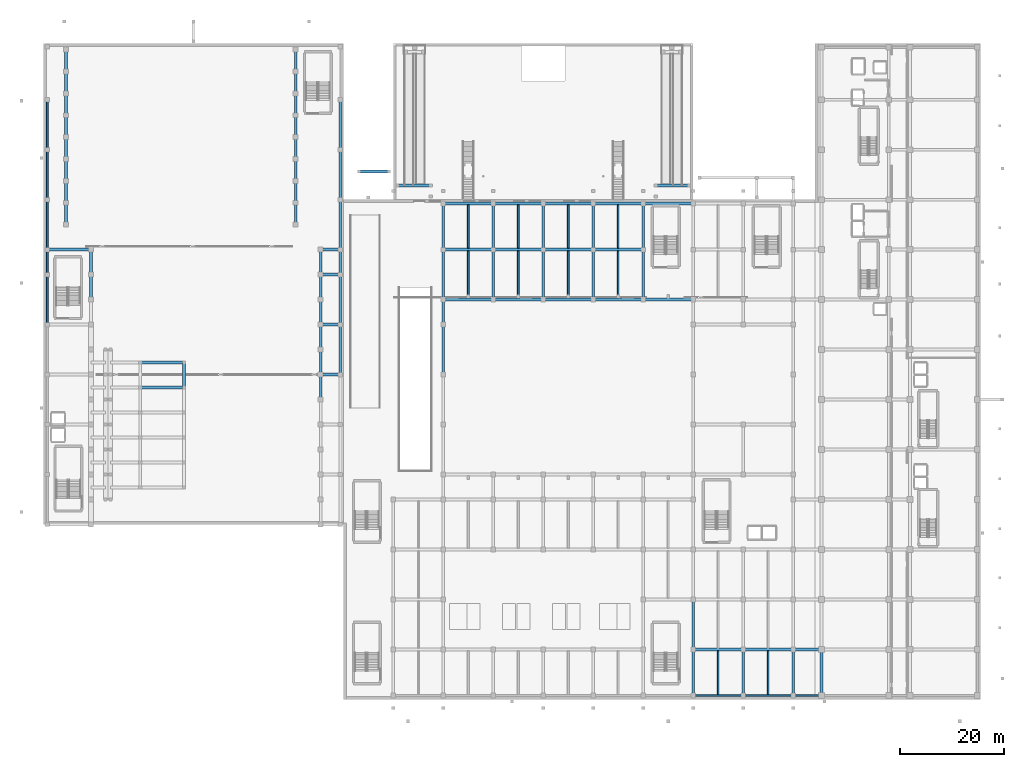
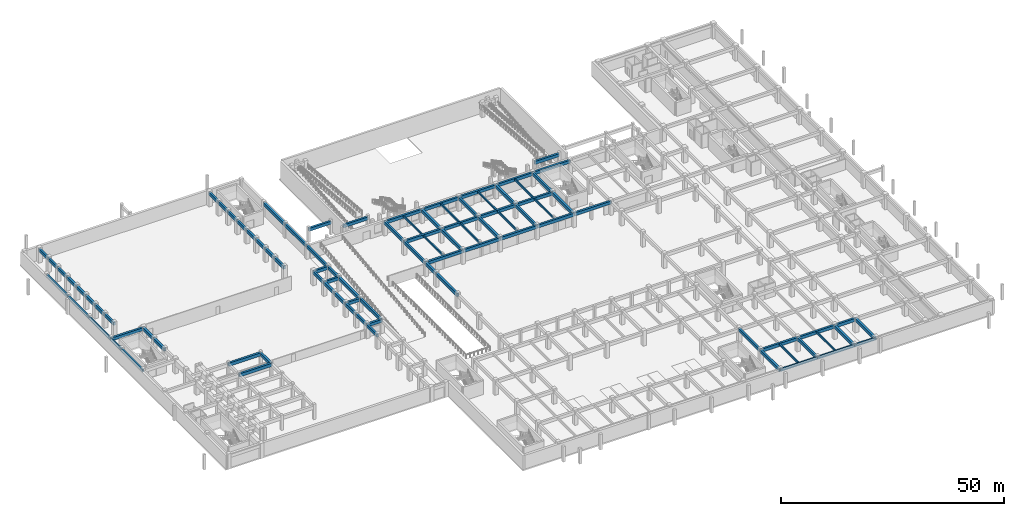
# One storey, part 6 of 39: 93 beams.
"""IFC4 building model written with IfcOpenShell, lengths in metres."""

from ifc_helpers import new_model, si_unit, direction, frame, origin, origin_2d, place, context, subcontext, project, spatial, rectangle, extrude, material, material_profile, profile_set, type_object, element, save


model = new_model("IFC4")

# Units and contexts
model_context = context("Model", 3, precision=1e-05, world=origin(), true_north=direction((0.0, 1.0)))
body_context = subcontext(model_context, "Body", "Model", "MODEL_VIEW")
ifc_project = project(units=[si_unit("LENGTHUNIT", "METRE"), si_unit("AREAUNIT", "SQUARE_METRE"), si_unit("VOLUMEUNIT", "CUBIC_METRE"), si_unit("PLANEANGLEUNIT", "RADIAN"), si_unit("MASSUNIT", "GRAM", prefix="KILO")], contexts=[model_context])

# Site, building, storey
site_placement = place(None, origin())
site = spatial("IfcSite", under=ifc_project, at=site_placement, CompositionType="ELEMENT")
building_placement = place(site_placement, origin())
building = spatial("IfcBuilding", under=site, at=building_placement, Name="Nakhvara Creek Congress Hotel", CompositionType="ELEMENT")
storey_placement = place(building_placement, frame((0.0, 0.0, -4.199951171875)))
storey = spatial("IfcBuildingStorey", under=building, at=storey_placement, Name="B1", CompositionType="ELEMENT", Elevation=-4.199951171875)

# Beams
ifc_material_1 = material(Name="Concrete C40/50", Category="concrete")
ifc_material_profile_1 = material_profile(ifc_material_1, rectangle(XDim=0.300048828125, YDim=0.5, at=origin_2d()), Name="RC-BM 300x500", Category="LoadBearing")
ifc_profile_set_1 = profile_set([ifc_material_profile_1], Name="Concrete C40/50")
beam_type_1 = type_object("IfcBeamType", Name="BM-JST-300X500", PredefinedType="JOIST", material=ifc_profile_set_1)
beam_1_placement = place(storey_placement, frame((81.60009765625, 77.06005859375, 3.530029296875), z_axis=(0.0, 1.0, 0.0), x_axis=(-1.0, 0.0, 0.0)))
element("IfcBeam", 1, at=beam_1_placement, inside=storey, type_object=beam_type_1, Name="Secondary Joist BJ1-B1-0697", PredefinedType="JOIST", context=body_context, shape_type="SweptSolid", body=[
    extrude(rectangle(XDim=0.300048828125, YDim=0.5, at=origin_2d()), origin(), (0.0, 0.0, 1.0), 9.079833984375),
])
beam_2_placement = place(storey_placement, frame((81.60009765625, 86.659912109375, 3.530029296875), z_axis=(0.0, 1.0, 0.0), x_axis=(-1.0, 0.0, 0.0)))
element("IfcBeam", 2, at=beam_2_placement, inside=storey, type_object=beam_type_1, Name="Secondary Joist BJ1-B1-0698", PredefinedType="JOIST", context=body_context, shape_type="SweptSolid", body=[
    extrude(rectangle(XDim=0.300048828125, YDim=0.5, at=origin_2d()), origin(), (0.0, 0.0, 1.0), 8.330078125),
])
beam_3_placement = place(storey_placement, frame((91.199951171875, 77.06005859375, 3.530029296875), z_axis=(0.0, 1.0, 0.0), x_axis=(-1.0, 0.0, 0.0)))
element("IfcBeam", 3, at=beam_3_placement, inside=storey, type_object=beam_type_1, Name="Secondary Joist BJ1-B1-0701", PredefinedType="JOIST", context=body_context, shape_type="SweptSolid", body=[
    extrude(rectangle(XDim=0.300048828125, YDim=0.5, at=origin_2d()), origin(), (0.0, 0.0, 1.0), 9.079833984375),
])
beam_4_placement = place(storey_placement, frame((91.199951171875, 86.659912109375, 3.530029296875), z_axis=(0.0, 1.0, 0.0), x_axis=(-1.0, 0.0, 0.0)))
element("IfcBeam", 4, at=beam_4_placement, inside=storey, type_object=beam_type_1, Name="Secondary Joist BJ1-B1-0702", PredefinedType="JOIST", context=body_context, shape_type="SweptSolid", body=[
    extrude(rectangle(XDim=0.300048828125, YDim=0.5, at=origin_2d()), origin(), (0.0, 0.0, 1.0), 8.330078125),
])
beam_5_placement = place(storey_placement, frame((100.800048828125, 77.06005859375, 3.530029296875), z_axis=(0.0, 1.0, 0.0), x_axis=(-1.0, 0.0, 0.0)))
element("IfcBeam", 5, at=beam_5_placement, inside=storey, type_object=beam_type_1, Name="Secondary Joist BJ1-B1-0705", PredefinedType="JOIST", context=body_context, shape_type="SweptSolid", body=[
    extrude(rectangle(XDim=0.300048828125, YDim=0.5, at=origin_2d()), origin(), (0.0, 0.0, 1.0), 9.079833984375),
])
beam_6_placement = place(storey_placement, frame((100.800048828125, 86.659912109375, 3.530029296875), z_axis=(0.0, 1.0, 0.0), x_axis=(-1.0, 0.0, 0.0)))
element("IfcBeam", 6, at=beam_6_placement, inside=storey, type_object=beam_type_1, Name="Secondary Joist BJ1-B1-0706", PredefinedType="JOIST", context=body_context, shape_type="SweptSolid", body=[
    extrude(rectangle(XDim=0.300048828125, YDim=0.5, at=origin_2d()), origin(), (0.0, 0.0, 1.0), 8.330078125),
])
beam_7_placement = place(storey_placement, frame((110.39990234375, 77.06005859375, 3.530029296875), z_axis=(0.0, 1.0, 0.0), x_axis=(-1.0, 0.0, 0.0)))
element("IfcBeam", 7, at=beam_7_placement, inside=storey, type_object=beam_type_1, Name="Secondary Joist BJ1-B1-0709", PredefinedType="JOIST", context=body_context, shape_type="SweptSolid", body=[
    extrude(rectangle(XDim=0.300048828125, YDim=0.5, at=origin_2d()), origin(), (0.0, 0.0, 1.0), 9.079833984375),
])
beam_8_placement = place(storey_placement, frame((110.39990234375, 86.659912109375, 3.530029296875), z_axis=(0.0, 1.0, 0.0), x_axis=(-1.0, 0.0, 0.0)))
element("IfcBeam", 8, at=beam_8_placement, inside=storey, type_object=beam_type_1, Name="Secondary Joist BJ1-B1-0710", PredefinedType="JOIST", context=body_context, shape_type="SweptSolid", body=[
    extrude(rectangle(XDim=0.300048828125, YDim=0.5, at=origin_2d()), origin(), (0.0, 0.0, 1.0), 8.330078125),
])
for number, where, z_axis, x_axis, name in (
    (9, (129.60009765625, 0.925048828125, 3.530029296875), (0.0, 1.0, 0.0), (-1.0, 0.0, 0.0), "Secondary Joist BJ1-B1-0713"),
    (10, (139.199951171875, 0.925048828125, 3.530029296875), (0.0, 1.0, 0.0), (-1.0, 0.0, 0.0), "Secondary Joist BJ1-B1-0718"),
):
    element("IfcBeam", number, at=place(storey_placement, frame(where, z_axis=z_axis, x_axis=x_axis)), inside=storey, type_object=beam_type_1, Name=name, PredefinedType="JOIST", context=body_context, shape_type="SweptSolid", body=[
        extrude(rectangle(XDim=0.300048828125, YDim=0.5, at=origin_2d()), origin(), (0.0, 0.0, 1.0), 8.4150390625),
    ])
ifc_material_2 = material(Name="Concrete C50/60", Category="concrete")
ifc_material_profile_2 = material_profile(ifc_material_2, rectangle(XDim=0.550048828125, YDim=0.89990234375, at=origin_2d()), Name="RC-RAKER 550x900", Category="LoadBearing")
ifc_profile_set_2 = profile_set([ifc_material_profile_2], Name="Concrete C50/60")
beam_type_2 = type_object("IfcBeamType", Name="BM-RAKER-900", PredefinedType="BEAM", material=ifc_profile_set_2)
for number, where, z_axis, x_axis, name in (
    (11, (18.60009765625, 59.89990234375, 3.329833984375), (1.0, 0.0, 0.0), (0.0, 1.0, 0.0), "Congress Stand RAKER Span C 05"),
    (12, (18.60009765625, 64.699951171875, 3.329833984375), (1.0, 0.0, 0.0), (0.0, 1.0, 0.0), "Congress Stand RAKER Span C 06"),
):
    element("IfcBeam", number, at=place(storey_placement, frame(where, z_axis=z_axis, x_axis=x_axis)), inside=storey, type_object=beam_type_2, Name=name, PredefinedType="BEAM", context=body_context, shape_type="SweptSolid", body=[
        extrude(rectangle(XDim=0.550048828125, YDim=0.89990234375, at=origin_2d()), origin(), (0.0, 0.0, 1.0), 8.39990234375),
    ])
ifc_material_profile_3 = material_profile(ifc_material_2, rectangle(XDim=0.52001953125, YDim=0.840087890625, at=origin_2d()), Name="RC-BM 520x840", Category="LoadBearing")
ifc_profile_set_3 = profile_set([ifc_material_profile_3], Name="Concrete C50/60")
beam_type_3 = type_object("IfcBeamType", Name="BM-RC-520X840", PredefinedType="BEAM", material=ifc_profile_set_3)
beam_9_placement = place(storey_placement, frame((57.050048828125, 62.39990234375, 3.35986328125), z_axis=(0.0, 1.0, 0.0), x_axis=(-1.0, 0.0, 0.0)))
element("IfcBeam", 13, at=beam_9_placement, inside=storey, type_object=beam_type_3, Name="Beam B14-B1-0377", PredefinedType="BEAM", context=body_context, shape_type="SweptSolid", body=[
    extrude(rectangle(XDim=0.52001953125, YDim=0.840087890625, at=origin_2d()), origin(), (0.0, 0.0, 1.0), 9.60009765625),
])
beam_10_placement = place(storey_placement, frame((53.25, 62.39990234375, 3.35986328125), z_axis=(1.0, 0.0, 0.0), x_axis=(0.0, 1.0, 0.0)))
element("IfcBeam", 14, at=beam_10_placement, inside=storey, type_object=beam_type_3, Name="Beam B14-B1-0378", PredefinedType="BEAM", context=body_context, shape_type="SweptSolid", body=[
    extrude(rectangle(XDim=0.52001953125, YDim=0.840087890625, at=origin_2d()), origin(), (0.0, 0.0, 1.0), 3.800048828125),
])
beam_11_placement = place(storey_placement, frame((57.050048828125, 72.0, 3.35986328125), z_axis=(0.0, 1.0, 0.0), x_axis=(-1.0, 0.0, 0.0)))
element("IfcBeam", 15, at=beam_11_placement, inside=storey, type_object=beam_type_3, Name="Beam B14-B1-0381", PredefinedType="BEAM", context=body_context, shape_type="SweptSolid", body=[
    extrude(rectangle(XDim=0.52001953125, YDim=0.840087890625, at=origin_2d()), origin(), (0.0, 0.0, 1.0), 9.60009765625),
])
beam_12_placement = place(storey_placement, frame((53.25, 72.0, 3.35986328125), z_axis=(1.0, 0.0, 0.0), x_axis=(0.0, 1.0, 0.0)))
element("IfcBeam", 16, at=beam_12_placement, inside=storey, type_object=beam_type_3, Name="Beam B14-B1-0382", PredefinedType="BEAM", context=body_context, shape_type="SweptSolid", body=[
    extrude(rectangle(XDim=0.52001953125, YDim=0.840087890625, at=origin_2d()), origin(), (0.0, 0.0, 1.0), 3.800048828125),
])
beam_13_placement = place(storey_placement, frame((57.050048828125, 81.60009765625, 3.35986328125), z_axis=(0.0, 1.0, 0.0), x_axis=(-1.0, 0.0, 0.0)))
element("IfcBeam", 17, at=beam_13_placement, inside=storey, type_object=beam_type_3, Name="Beam B14-B1-0384", PredefinedType="BEAM", context=body_context, shape_type="SweptSolid", body=[
    extrude(rectangle(XDim=0.52001953125, YDim=0.840087890625, at=origin_2d()), origin(), (0.0, 0.0, 1.0), 4.7998046875),
])
beam_14_placement = place(storey_placement, frame((53.25, 81.60009765625, 3.35986328125), z_axis=(1.0, 0.0, 0.0), x_axis=(0.0, 1.0, 0.0)))
element("IfcBeam", 18, at=beam_14_placement, inside=storey, type_object=beam_type_3, Name="Beam B14-B1-0385", PredefinedType="BEAM", context=body_context, shape_type="SweptSolid", body=[
    extrude(rectangle(XDim=0.52001953125, YDim=0.840087890625, at=origin_2d()), origin(), (0.0, 0.0, 1.0), 3.800048828125),
])
beam_15_placement = place(storey_placement, frame((0.75, 86.39990234375, 3.35986328125), z_axis=(1.0, 0.0, 0.0), x_axis=(0.0, 1.0, 0.0)))
element("IfcBeam", 19, at=beam_15_placement, inside=storey, type_object=beam_type_3, Name="Beam B14-B1-0386", PredefinedType="BEAM", context=body_context, shape_type="SweptSolid", body=[
    extrude(rectangle(XDim=0.52001953125, YDim=0.840087890625, at=origin_2d()), origin(), (0.0, 0.0, 1.0), 8.39990234375),
])
beam_16_placement = place(storey_placement, frame((53.25, 86.39990234375, 3.35986328125), z_axis=(1.0, 0.0, 0.0), x_axis=(0.0, 1.0, 0.0)))
element("IfcBeam", 20, at=beam_16_placement, inside=storey, type_object=beam_type_3, Name="Beam B14-B1-0388", PredefinedType="BEAM", context=body_context, shape_type="SweptSolid", body=[
    extrude(rectangle(XDim=0.52001953125, YDim=0.840087890625, at=origin_2d()), origin(), (0.0, 0.0, 1.0), 3.800048828125),
])
beam_17_placement = place(storey_placement, frame((57.050048828125, 86.39990234375, 3.35986328125), z_axis=(0.0, 1.0, 0.0), x_axis=(-1.0, 0.0, 0.0)))
element("IfcBeam", 21, at=beam_17_placement, inside=storey, type_object=beam_type_3, Name="Beam B14-B1-0389", PredefinedType="BEAM", context=body_context, shape_type="SweptSolid", body=[
    extrude(rectangle(XDim=0.52001953125, YDim=0.840087890625, at=origin_2d()), origin(), (0.0, 0.0, 1.0), 9.60009765625),
])
beam_18_placement = place(storey_placement, frame((53.25, 57.60009765625, 3.35986328125), z_axis=(0.0, 1.0, 0.0), x_axis=(-1.0, 0.0, 0.0)))
element("IfcBeam", 22, at=beam_18_placement, inside=storey, type_object=beam_type_3, Name="Beam B14-B1-0401", PredefinedType="BEAM", context=body_context, shape_type="SweptSolid", body=[
    extrude(rectangle(XDim=0.52001953125, YDim=0.840087890625, at=origin_2d()), origin(), (0.0, 0.0, 1.0), 4.7998046875),
])
for number, where, z_axis, x_axis, name in (
    (23, (53.25, 62.39990234375, 3.35986328125), (0.0, 1.0, 0.0), (-1.0, 0.0, 0.0), "Beam B14-B1-0403"),
    (24, (53.25, 67.199951171875, 3.35986328125), (0.0, 1.0, 0.0), (-1.0, 0.0, 0.0), "Beam B14-B1-0405"),
    (25, (53.25, 72.0, 3.35986328125), (0.0, 1.0, 0.0), (-1.0, 0.0, 0.0), "Beam B14-B1-0407"),
    (26, (9.14990234375, 76.800048828125, 3.35986328125), (0.0, 1.0, 0.0), (-1.0, 0.0, 0.0), "Beam B14-B1-0408"),
    (27, (53.25, 76.800048828125, 3.35986328125), (0.0, 1.0, 0.0), (-1.0, 0.0, 0.0), "Beam B14-B1-0409"),
):
    element("IfcBeam", number, at=place(storey_placement, frame(where, z_axis=z_axis, x_axis=x_axis)), inside=storey, type_object=beam_type_3, Name=name, PredefinedType="BEAM", context=body_context, shape_type="SweptSolid", body=[
        extrude(rectangle(XDim=0.52001953125, YDim=0.840087890625, at=origin_2d()), origin(), (0.0, 0.0, 1.0), 4.800048828125),
    ])
for number, where, z_axis, x_axis, name in (
    (28, (9.14990234375, 81.60009765625, 3.35986328125), (0.0, 1.0, 0.0), (-1.0, 0.0, 0.0), "Beam B14-B1-0410"),
    (29, (53.25, 81.60009765625, 3.35986328125), (0.0, 1.0, 0.0), (-1.0, 0.0, 0.0), "Beam B14-B1-0411"),
):
    element("IfcBeam", number, at=place(storey_placement, frame(where, z_axis=z_axis, x_axis=x_axis)), inside=storey, type_object=beam_type_3, Name=name, PredefinedType="BEAM", context=body_context, shape_type="SweptSolid", body=[
        extrude(rectangle(XDim=0.52001953125, YDim=0.840087890625, at=origin_2d()), origin(), (0.0, 0.0, 1.0), 4.7998046875),
    ])
beam_19_placement = place(storey_placement, frame((27.0, 59.89990234375, 3.35986328125), z_axis=(0.0, 1.0, 0.0), x_axis=(-1.0, 0.0, 0.0)))
element("IfcBeam", 30, at=beam_19_placement, inside=storey, type_object=beam_type_3, Name="Beam B14-B1-0433", PredefinedType="BEAM", context=body_context, shape_type="SweptSolid", body=[
    extrude(rectangle(XDim=0.52001953125, YDim=0.840087890625, at=origin_2d()), origin(), (0.0, 0.0, 1.0), 4.800048828125),
])
for number, where, z_axis, x_axis, name in (
    (31, (4.35009765625, 91.199951171875, 3.35986328125), (0.0, 1.0, 0.0), (-1.0, 0.0, 0.0), "Beam B14-B1-0434"),
    (32, (48.449951171875, 91.199951171875, 3.35986328125), (0.0, 1.0, 0.0), (-1.0, 0.0, 0.0), "Beam B14-B1-0435"),
):
    element("IfcBeam", number, at=place(storey_placement, frame(where, z_axis=z_axis, x_axis=x_axis)), inside=storey, type_object=beam_type_3, Name=name, PredefinedType="BEAM", context=body_context, shape_type="SweptSolid", body=[
        extrude(rectangle(XDim=0.52001953125, YDim=0.840087890625, at=origin_2d()), origin(), (0.0, 0.0, 1.0), 4.199951171875),
    ])
for number, where, z_axis, x_axis, name in (
    (33, (4.35009765625, 95.39990234375, 3.35986328125), (0.0, 1.0, 0.0), (-1.0, 0.0, 0.0), "Beam B14-B1-0436"),
    (34, (48.449951171875, 95.39990234375, 3.35986328125), (0.0, 1.0, 0.0), (-1.0, 0.0, 0.0), "Beam B14-B1-0437"),
):
    element("IfcBeam", number, at=place(storey_placement, frame(where, z_axis=z_axis, x_axis=x_axis)), inside=storey, type_object=beam_type_3, Name=name, PredefinedType="BEAM", context=body_context, shape_type="SweptSolid", body=[
        extrude(rectangle(XDim=0.52001953125, YDim=0.840087890625, at=origin_2d()), origin(), (0.0, 0.0, 1.0), 4.2001953125),
    ])
for number, where, z_axis, x_axis, name in (
    (35, (4.35009765625, 99.60009765625, 3.35986328125), (0.0, 1.0, 0.0), (-1.0, 0.0, 0.0), "Beam B14-B1-0438"),
    (36, (48.449951171875, 99.60009765625, 3.35986328125), (0.0, 1.0, 0.0), (-1.0, 0.0, 0.0), "Beam B14-B1-0439"),
    (37, (4.35009765625, 103.800048828125, 3.35986328125), (0.0, 1.0, 0.0), (-1.0, 0.0, 0.0), "Beam B14-B1-0440"),
    (38, (48.449951171875, 103.800048828125, 3.35986328125), (0.0, 1.0, 0.0), (-1.0, 0.0, 0.0), "Beam B14-B1-0441"),
    (39, (4.35009765625, 108.0, 3.35986328125), (0.0, 1.0, 0.0), (-1.0, 0.0, 0.0), "Beam B14-B1-0442"),
    (40, (48.449951171875, 108.0, 3.35986328125), (0.0, 1.0, 0.0), (-1.0, 0.0, 0.0), "Beam B14-B1-0443"),
    (41, (4.35009765625, 112.199951171875, 3.35986328125), (0.0, 1.0, 0.0), (-1.0, 0.0, 0.0), "Beam B14-B1-0444"),
    (42, (48.449951171875, 112.199951171875, 3.35986328125), (0.0, 1.0, 0.0), (-1.0, 0.0, 0.0), "Beam B14-B1-0445"),
):
    element("IfcBeam", number, at=place(storey_placement, frame(where, z_axis=z_axis, x_axis=x_axis)), inside=storey, type_object=beam_type_3, Name=name, PredefinedType="BEAM", context=body_context, shape_type="SweptSolid", body=[
        extrude(rectangle(XDim=0.52001953125, YDim=0.840087890625, at=origin_2d()), origin(), (0.0, 0.0, 1.0), 4.199951171875),
    ])
for number, where, z_axis, x_axis, name in (
    (43, (4.35009765625, 116.39990234375, 3.35986328125), (0.0, 1.0, 0.0), (-1.0, 0.0, 0.0), "Beam B14-B1-0446"),
    (44, (48.449951171875, 116.39990234375, 3.35986328125), (0.0, 1.0, 0.0), (-1.0, 0.0, 0.0), "Beam B14-B1-0447"),
):
    element("IfcBeam", number, at=place(storey_placement, frame(where, z_axis=z_axis, x_axis=x_axis)), inside=storey, type_object=beam_type_3, Name=name, PredefinedType="BEAM", context=body_context, shape_type="SweptSolid", body=[
        extrude(rectangle(XDim=0.52001953125, YDim=0.840087890625, at=origin_2d()), origin(), (0.0, 0.0, 1.0), 4.2001953125),
    ])
for number, where, z_axis, x_axis, name in (
    (45, (4.35009765625, 120.60009765625, 3.35986328125), (0.0, 1.0, 0.0), (-1.0, 0.0, 0.0), "Beam B14-B1-0448"),
    (46, (48.449951171875, 120.60009765625, 3.35986328125), (0.0, 1.0, 0.0), (-1.0, 0.0, 0.0), "Beam B14-B1-0449"),
):
    element("IfcBeam", number, at=place(storey_placement, frame(where, z_axis=z_axis, x_axis=x_axis)), inside=storey, type_object=beam_type_3, Name=name, PredefinedType="BEAM", context=body_context, shape_type="SweptSolid", body=[
        extrude(rectangle(XDim=0.52001953125, YDim=0.840087890625, at=origin_2d()), origin(), (0.0, 0.0, 1.0), 4.199951171875),
    ])
beam_20_placement = place(storey_placement, frame((57.050048828125, 96.0, 3.35986328125), z_axis=(0.0, 1.0, 0.0), x_axis=(-1.0, 0.0, 0.0)))
element("IfcBeam", 47, at=beam_20_placement, inside=storey, type_object=beam_type_3, Name="Beam B14-B1-0451", PredefinedType="BEAM", context=body_context, shape_type="SweptSolid", body=[
    extrude(rectangle(XDim=0.52001953125, YDim=0.840087890625, at=origin_2d()), origin(), (0.0, 0.0, 1.0), 9.60009765625),
])
beam_21_placement = place(storey_placement, frame((57.050048828125, 105.60009765625, 3.35986328125), z_axis=(0.0, 1.0, 0.0), x_axis=(-1.0, 0.0, 0.0)))
element("IfcBeam", 48, at=beam_21_placement, inside=storey, type_object=beam_type_3, Name="Beam B14-B1-0453", PredefinedType="BEAM", context=body_context, shape_type="SweptSolid", body=[
    extrude(rectangle(XDim=0.52001953125, YDim=0.840087890625, at=origin_2d()), origin(), (0.0, 0.0, 1.0), 9.599853515625),
])
beam_22_placement = place(storey_placement, frame((76.800048828125, 62.39990234375, 3.35986328125), z_axis=(0.0, 1.0, 0.0), x_axis=(-1.0, 0.0, 0.0)))
element("IfcBeam", 49, at=beam_22_placement, inside=storey, type_object=beam_type_3, Name="Beam B14-B1-0475", PredefinedType="BEAM", context=body_context, shape_type="SweptSolid", body=[
    extrude(rectangle(XDim=0.52001953125, YDim=0.840087890625, at=origin_2d()), origin(), (0.0, 0.0, 1.0), 9.60009765625),
])
beam_23_placement = place(storey_placement, frame((76.800048828125, 72.0, 3.35986328125), z_axis=(0.0, 1.0, 0.0), x_axis=(-1.0, 0.0, 0.0)))
element("IfcBeam", 50, at=beam_23_placement, inside=storey, type_object=beam_type_3, Name="Beam B14-B1-0476", PredefinedType="BEAM", context=body_context, shape_type="SweptSolid", body=[
    extrude(rectangle(XDim=0.52001953125, YDim=0.840087890625, at=origin_2d()), origin(), (0.0, 0.0, 1.0), 4.800048828125),
])
for number, where, z_axis, x_axis, name in (
    (51, (76.800048828125, 76.800048828125, 3.35986328125), (0.0, 1.0, 0.0), (-1.0, 0.0, 0.0), "Beam B14-B1-0477"),
    (52, (76.800048828125, 76.800048828125, 3.35986328125), (1.0, 0.0, 0.0), (0.0, 1.0, 0.0), "Beam B14-B1-0478"),
):
    element("IfcBeam", number, at=place(storey_placement, frame(where, z_axis=z_axis, x_axis=x_axis)), inside=storey, type_object=beam_type_3, Name=name, PredefinedType="BEAM", context=body_context, shape_type="SweptSolid", body=[
        extrude(rectangle(XDim=0.52001953125, YDim=0.840087890625, at=origin_2d()), origin(), (0.0, 0.0, 1.0), 9.599853515625),
    ])
beam_24_placement = place(storey_placement, frame((76.800048828125, 86.39990234375, 3.35986328125), z_axis=(0.0, 1.0, 0.0), x_axis=(-1.0, 0.0, 0.0)))
element("IfcBeam", 53, at=beam_24_placement, inside=storey, type_object=beam_type_3, Name="Beam B14-B1-0479", PredefinedType="BEAM", context=body_context, shape_type="SweptSolid", body=[
    extrude(rectangle(XDim=0.52001953125, YDim=0.840087890625, at=origin_2d()), origin(), (0.0, 0.0, 1.0), 8.85009765625),
])
for number, where, z_axis, x_axis, name in (
    (54, (76.800048828125, 86.39990234375, 3.35986328125), (1.0, 0.0, 0.0), (0.0, 1.0, 0.0), "Beam B14-B1-0480"),
    (55, (76.800048828125, 95.25, 3.35986328125), (1.0, 0.0, 0.0), (0.0, 1.0, 0.0), "Beam B14-B1-0481"),
    (56, (86.39990234375, 76.800048828125, 3.35986328125), (0.0, 1.0, 0.0), (-1.0, 0.0, 0.0), "Beam B14-B1-0490"),
):
    element("IfcBeam", number, at=place(storey_placement, frame(where, z_axis=z_axis, x_axis=x_axis)), inside=storey, type_object=beam_type_3, Name=name, PredefinedType="BEAM", context=body_context, shape_type="SweptSolid", body=[
        extrude(rectangle(XDim=0.52001953125, YDim=0.840087890625, at=origin_2d()), origin(), (0.0, 0.0, 1.0), 9.599853515625),
    ])
beam_25_placement = place(storey_placement, frame((86.39990234375, 76.800048828125, 3.35986328125), z_axis=(1.0, 0.0, 0.0), x_axis=(0.0, 1.0, 0.0)))
element("IfcBeam", 57, at=beam_25_placement, inside=storey, type_object=beam_type_3, Name="Beam B14-B1-0491", PredefinedType="BEAM", context=body_context, shape_type="SweptSolid", body=[
    extrude(rectangle(XDim=0.52001953125, YDim=0.840087890625, at=origin_2d()), origin(), (0.0, 0.0, 1.0), 9.60009765625),
])
beam_26_placement = place(storey_placement, frame((86.39990234375, 86.39990234375, 3.35986328125), z_axis=(0.0, 1.0, 0.0), x_axis=(-1.0, 0.0, 0.0)))
element("IfcBeam", 58, at=beam_26_placement, inside=storey, type_object=beam_type_3, Name="Beam B14-B1-0492", PredefinedType="BEAM", context=body_context, shape_type="SweptSolid", body=[
    extrude(rectangle(XDim=0.52001953125, YDim=0.840087890625, at=origin_2d()), origin(), (0.0, 0.0, 1.0), 8.85009765625),
])
for number, where, z_axis, x_axis, name in (
    (59, (86.39990234375, 86.39990234375, 3.35986328125), (1.0, 0.0, 0.0), (0.0, 1.0, 0.0), "Beam B14-B1-0493"),
    (60, (86.39990234375, 95.25, 3.35986328125), (1.0, 0.0, 0.0), (0.0, 1.0, 0.0), "Beam B14-B1-0494"),
):
    element("IfcBeam", number, at=place(storey_placement, frame(where, z_axis=z_axis, x_axis=x_axis)), inside=storey, type_object=beam_type_3, Name=name, PredefinedType="BEAM", context=body_context, shape_type="SweptSolid", body=[
        extrude(rectangle(XDim=0.52001953125, YDim=0.840087890625, at=origin_2d()), origin(), (0.0, 0.0, 1.0), 9.60009765625),
    ])
beam_27_placement = place(storey_placement, frame((96.0, 76.800048828125, 3.35986328125), z_axis=(0.0, 1.0, 0.0), x_axis=(-1.0, 0.0, 0.0)))
element("IfcBeam", 61, at=beam_27_placement, inside=storey, type_object=beam_type_3, Name="Beam B14-B1-0503", PredefinedType="BEAM", context=body_context, shape_type="SweptSolid", body=[
    extrude(rectangle(XDim=0.52001953125, YDim=0.840087890625, at=origin_2d()), origin(), (0.0, 0.0, 1.0), 9.599853515625),
])
beam_28_placement = place(storey_placement, frame((96.0, 76.800048828125, 3.35986328125), z_axis=(1.0, 0.0, 0.0), x_axis=(0.0, 1.0, 0.0)))
element("IfcBeam", 62, at=beam_28_placement, inside=storey, type_object=beam_type_3, Name="Beam B14-B1-0504", PredefinedType="BEAM", context=body_context, shape_type="SweptSolid", body=[
    extrude(rectangle(XDim=0.52001953125, YDim=0.840087890625, at=origin_2d()), origin(), (0.0, 0.0, 1.0), 9.60009765625),
])
beam_29_placement = place(storey_placement, frame((96.0, 86.39990234375, 3.35986328125), z_axis=(0.0, 1.0, 0.0), x_axis=(-1.0, 0.0, 0.0)))
element("IfcBeam", 63, at=beam_29_placement, inside=storey, type_object=beam_type_3, Name="Beam B14-B1-0505", PredefinedType="BEAM", context=body_context, shape_type="SweptSolid", body=[
    extrude(rectangle(XDim=0.52001953125, YDim=0.840087890625, at=origin_2d()), origin(), (0.0, 0.0, 1.0), 8.85009765625),
])
for number, where, z_axis, x_axis, name in (
    (64, (96.0, 86.39990234375, 3.35986328125), (1.0, 0.0, 0.0), (0.0, 1.0, 0.0), "Beam B14-B1-0506"),
    (65, (96.0, 95.25, 3.35986328125), (1.0, 0.0, 0.0), (0.0, 1.0, 0.0), "Beam B14-B1-0507"),
):
    element("IfcBeam", number, at=place(storey_placement, frame(where, z_axis=z_axis, x_axis=x_axis)), inside=storey, type_object=beam_type_3, Name=name, PredefinedType="BEAM", context=body_context, shape_type="SweptSolid", body=[
        extrude(rectangle(XDim=0.52001953125, YDim=0.840087890625, at=origin_2d()), origin(), (0.0, 0.0, 1.0), 9.60009765625),
    ])
for number, where, z_axis, x_axis, name in (
    (66, (105.60009765625, 76.800048828125, 3.35986328125), (0.0, 1.0, 0.0), (-1.0, 0.0, 0.0), "Beam B14-B1-0516"),
    (67, (105.60009765625, 76.800048828125, 3.35986328125), (1.0, 0.0, 0.0), (0.0, 1.0, 0.0), "Beam B14-B1-0517"),
):
    element("IfcBeam", number, at=place(storey_placement, frame(where, z_axis=z_axis, x_axis=x_axis)), inside=storey, type_object=beam_type_3, Name=name, PredefinedType="BEAM", context=body_context, shape_type="SweptSolid", body=[
        extrude(rectangle(XDim=0.52001953125, YDim=0.840087890625, at=origin_2d()), origin(), (0.0, 0.0, 1.0), 9.599853515625),
    ])
beam_30_placement = place(storey_placement, frame((105.60009765625, 86.39990234375, 3.35986328125), z_axis=(0.0, 1.0, 0.0), x_axis=(-1.0, 0.0, 0.0)))
element("IfcBeam", 68, at=beam_30_placement, inside=storey, type_object=beam_type_3, Name="Beam B14-B1-0518", PredefinedType="BEAM", context=body_context, shape_type="SweptSolid", body=[
    extrude(rectangle(XDim=0.52001953125, YDim=0.840087890625, at=origin_2d()), origin(), (0.0, 0.0, 1.0), 8.85009765625),
])
for number, where, z_axis, x_axis, name in (
    (69, (105.60009765625, 86.39990234375, 3.35986328125), (1.0, 0.0, 0.0), (0.0, 1.0, 0.0), "Beam B14-B1-0519"),
    (70, (105.60009765625, 95.25, 3.35986328125), (1.0, 0.0, 0.0), (0.0, 1.0, 0.0), "Beam B14-B1-0520"),
    (71, (115.199951171875, 76.800048828125, 3.35986328125), (0.0, 1.0, 0.0), (-1.0, 0.0, 0.0), "Beam B14-B1-0531"),
):
    element("IfcBeam", number, at=place(storey_placement, frame(where, z_axis=z_axis, x_axis=x_axis)), inside=storey, type_object=beam_type_3, Name=name, PredefinedType="BEAM", context=body_context, shape_type="SweptSolid", body=[
        extrude(rectangle(XDim=0.52001953125, YDim=0.840087890625, at=origin_2d()), origin(), (0.0, 0.0, 1.0), 9.599853515625),
    ])
beam_31_placement = place(storey_placement, frame((115.199951171875, 76.800048828125, 3.35986328125), z_axis=(1.0, 0.0, 0.0), x_axis=(0.0, 1.0, 0.0)))
element("IfcBeam", 72, at=beam_31_placement, inside=storey, type_object=beam_type_3, Name="Beam B14-B1-0532", PredefinedType="BEAM", context=body_context, shape_type="SweptSolid", body=[
    extrude(rectangle(XDim=0.52001953125, YDim=0.840087890625, at=origin_2d()), origin(), (0.0, 0.0, 1.0), 9.60009765625),
])
beam_32_placement = place(storey_placement, frame((115.199951171875, 86.39990234375, 3.35986328125), z_axis=(0.0, 1.0, 0.0), x_axis=(-1.0, 0.0, 0.0)))
element("IfcBeam", 73, at=beam_32_placement, inside=storey, type_object=beam_type_3, Name="Beam B14-B1-0533", PredefinedType="BEAM", context=body_context, shape_type="SweptSolid", body=[
    extrude(rectangle(XDim=0.52001953125, YDim=0.840087890625, at=origin_2d()), origin(), (0.0, 0.0, 1.0), 8.85009765625),
])
beam_33_placement = place(storey_placement, frame((115.199951171875, 95.25, 3.35986328125), z_axis=(1.0, 0.0, 0.0), x_axis=(0.0, 1.0, 0.0)))
element("IfcBeam", 74, at=beam_33_placement, inside=storey, type_object=beam_type_3, Name="Beam B14-B1-0534", PredefinedType="BEAM", context=body_context, shape_type="SweptSolid", body=[
    extrude(rectangle(XDim=0.52001953125, YDim=0.840087890625, at=origin_2d()), origin(), (0.0, 0.0, 1.0), 9.60009765625),
])
beam_34_placement = place(storey_placement, frame((124.800048828125, 0.75, 3.35986328125), z_axis=(0.0, 1.0, 0.0), x_axis=(-1.0, 0.0, 0.0)))
element("IfcBeam", 75, at=beam_34_placement, inside=storey, type_object=beam_type_3, Name="Beam B14-B1-0535", PredefinedType="BEAM", context=body_context, shape_type="SweptSolid", body=[
    extrude(rectangle(XDim=0.52001953125, YDim=0.840087890625, at=origin_2d()), origin(), (0.0, 0.0, 1.0), 8.85009765625),
])
for number, where, z_axis, x_axis, name in (
    (76, (124.800048828125, 9.60009765625, 3.35986328125), (0.0, 1.0, 0.0), (-1.0, 0.0, 0.0), "Beam B14-B1-0537"),
    (77, (124.800048828125, 9.60009765625, 3.35986328125), (1.0, 0.0, 0.0), (0.0, 1.0, 0.0), "Beam B14-B1-0538"),
):
    element("IfcBeam", number, at=place(storey_placement, frame(where, z_axis=z_axis, x_axis=x_axis)), inside=storey, type_object=beam_type_3, Name=name, PredefinedType="BEAM", context=body_context, shape_type="SweptSolid", body=[
        extrude(rectangle(XDim=0.52001953125, YDim=0.840087890625, at=origin_2d()), origin(), (0.0, 0.0, 1.0), 9.599853515625),
    ])
beam_35_placement = place(storey_placement, frame((134.39990234375, 0.75, 3.35986328125), z_axis=(0.0, 1.0, 0.0), x_axis=(-1.0, 0.0, 0.0)))
element("IfcBeam", 78, at=beam_35_placement, inside=storey, type_object=beam_type_3, Name="Beam B14-B1-0556", PredefinedType="BEAM", context=body_context, shape_type="SweptSolid", body=[
    extrude(rectangle(XDim=0.52001953125, YDim=0.840087890625, at=origin_2d()), origin(), (0.0, 0.0, 1.0), 8.85009765625),
])
beam_36_placement = place(storey_placement, frame((134.39990234375, 9.60009765625, 3.35986328125), z_axis=(1.0, 0.0, 0.0), x_axis=(0.0, 1.0, 0.0)))
element("IfcBeam", 79, at=beam_36_placement, inside=storey, type_object=beam_type_3, Name="Beam B14-B1-0559", PredefinedType="BEAM", context=body_context, shape_type="SweptSolid", body=[
    extrude(rectangle(XDim=0.52001953125, YDim=0.840087890625, at=origin_2d()), origin(), (0.0, 0.0, 1.0), 9.60009765625),
])
beam_37_placement = place(storey_placement, frame((144.0, 0.75, 3.35986328125), z_axis=(0.0, 1.0, 0.0), x_axis=(-1.0, 0.0, 0.0)))
element("IfcBeam", 80, at=beam_37_placement, inside=storey, type_object=beam_type_3, Name="Beam B14-B1-0572", PredefinedType="BEAM", context=body_context, shape_type="SweptSolid", body=[
    extrude(rectangle(XDim=0.52001953125, YDim=0.840087890625, at=origin_2d()), origin(), (0.0, 0.0, 1.0), 8.85009765625),
])
beam_38_placement = place(storey_placement, frame((144.0, 9.60009765625, 3.35986328125), z_axis=(1.0, 0.0, 0.0), x_axis=(0.0, 1.0, 0.0)))
element("IfcBeam", 81, at=beam_38_placement, inside=storey, type_object=beam_type_3, Name="Beam B14-B1-0575", PredefinedType="BEAM", context=body_context, shape_type="SweptSolid", body=[
    extrude(rectangle(XDim=0.52001953125, YDim=0.840087890625, at=origin_2d()), origin(), (0.0, 0.0, 1.0), 5.449951171875),
])
beam_39_placement = place(storey_placement, frame((149.449951171875, 0.75, 3.35986328125), z_axis=(0.0, 1.0, 0.0), x_axis=(-1.0, 0.0, 0.0)))
element("IfcBeam", 82, at=beam_39_placement, inside=storey, type_object=beam_type_3, Name="Beam B14-B1-0591", PredefinedType="BEAM", context=body_context, shape_type="SweptSolid", body=[
    extrude(rectangle(XDim=0.52001953125, YDim=0.840087890625, at=origin_2d()), origin(), (0.0, 0.0, 1.0), 8.85009765625),
])
for number, where, z_axis, x_axis, name in (
    (83, (68.0, 98.699951171875, 3.35986328125), (1.0, 0.0, 0.0), (0.0, 1.0, 0.0), "Beam B14-B1-0682"),
    (84, (117.60009765625, 98.699951171875, 3.35986328125), (1.0, 0.0, 0.0), (0.0, 1.0, 0.0), "Beam B14-B1-0683"),
):
    element("IfcBeam", number, at=place(storey_placement, frame(where, z_axis=z_axis, x_axis=x_axis)), inside=storey, type_object=beam_type_3, Name=name, PredefinedType="BEAM", context=body_context, shape_type="SweptSolid", body=[
        extrude(rectangle(XDim=0.52001953125, YDim=0.840087890625, at=origin_2d()), origin(), (0.0, 0.0, 1.0), 6.39990234375),
    ])
beam_40_placement = place(storey_placement, frame((60.60009765625, 101.39990234375, 3.35986328125), z_axis=(1.0, 0.0, 0.0), x_axis=(0.0, 1.0, 0.0)))
element("IfcBeam", 85, at=beam_40_placement, inside=storey, type_object=beam_type_3, Name="Beam B14-B1-0687", PredefinedType="BEAM", context=body_context, shape_type="SweptSolid", body=[
    extrude(rectangle(XDim=0.52001953125, YDim=0.840087890625, at=origin_2d()), origin(), (0.0, 0.0, 1.0), 5.7998046875),
])
ifc_material_profile_4 = material_profile(ifc_material_1, rectangle(XDim=0.35009765625, YDim=0.75, at=origin_2d()), Name="RC-SPANDREL 350x750", Category="LoadBearing")
ifc_profile_set_4 = profile_set([ifc_material_profile_4], Name="Concrete C40/50")
beam_type_4 = type_object("IfcBeamType", Name="BM-SPN-350X750", PredefinedType="SPANDREL", material=ifc_profile_set_4)
beam_41_placement = place(storey_placement, frame((0.75, 72.0, 3.405029296875), z_axis=(0.0, 1.0, 0.0), x_axis=(-1.0, 0.0, 0.0)))
element("IfcBeam", 86, at=beam_41_placement, inside=storey, type_object=beam_type_4, Name="Beam SP1-B1-0379", PredefinedType="SPANDREL", context=body_context, shape_type="SweptSolid", body=[
    extrude(rectangle(XDim=0.35009765625, YDim=0.75, at=origin_2d()), origin(), (0.0, 0.0, 1.0), 9.60009765625),
])
beam_42_placement = place(storey_placement, frame((0.75, 81.60009765625, 3.405029296875), z_axis=(0.0, 1.0, 0.0), x_axis=(-1.0, 0.0, 0.0)))
element("IfcBeam", 87, at=beam_42_placement, inside=storey, type_object=beam_type_4, Name="Beam SP1-B1-0383", PredefinedType="SPANDREL", context=body_context, shape_type="SweptSolid", body=[
    extrude(rectangle(XDim=0.35009765625, YDim=0.75, at=origin_2d()), origin(), (0.0, 0.0, 1.0), 4.7998046875),
])
for number, where, z_axis, x_axis, name in (
    (88, (0.75, 86.39990234375, 3.405029296875), (0.0, 1.0, 0.0), (-1.0, 0.0, 0.0), "Beam SP1-B1-0387"),
    (89, (0.75, 96.0, 3.405029296875), (0.0, 1.0, 0.0), (-1.0, 0.0, 0.0), "Beam SP1-B1-0450"),
):
    element("IfcBeam", number, at=place(storey_placement, frame(where, z_axis=z_axis, x_axis=x_axis)), inside=storey, type_object=beam_type_4, Name=name, PredefinedType="SPANDREL", context=body_context, shape_type="SweptSolid", body=[
        extrude(rectangle(XDim=0.35009765625, YDim=0.75, at=origin_2d()), origin(), (0.0, 0.0, 1.0), 9.60009765625),
    ])
for number, where, z_axis, x_axis, name in (
    (90, (0.75, 105.60009765625, 3.405029296875), (0.0, 1.0, 0.0), (-1.0, 0.0, 0.0), "Beam SP1-B1-0452"),
    (91, (124.800048828125, 0.75, 3.405029296875), (1.0, 0.0, 0.0), (0.0, 1.0, 0.0), "Beam SP1-B1-0536"),
):
    element("IfcBeam", number, at=place(storey_placement, frame(where, z_axis=z_axis, x_axis=x_axis)), inside=storey, type_object=beam_type_4, Name=name, PredefinedType="SPANDREL", context=body_context, shape_type="SweptSolid", body=[
        extrude(rectangle(XDim=0.35009765625, YDim=0.75, at=origin_2d()), origin(), (0.0, 0.0, 1.0), 9.599853515625),
    ])
beam_43_placement = place(storey_placement, frame((134.39990234375, 0.75, 3.405029296875), z_axis=(1.0, 0.0, 0.0), x_axis=(0.0, 1.0, 0.0)))
element("IfcBeam", 92, at=beam_43_placement, inside=storey, type_object=beam_type_4, Name="Beam SP1-B1-0557", PredefinedType="SPANDREL", context=body_context, shape_type="SweptSolid", body=[
    extrude(rectangle(XDim=0.35009765625, YDim=0.75, at=origin_2d()), origin(), (0.0, 0.0, 1.0), 9.60009765625),
])
beam_44_placement = place(storey_placement, frame((144.0, 0.75, 3.405029296875), z_axis=(1.0, 0.0, 0.0), x_axis=(0.0, 1.0, 0.0)))
element("IfcBeam", 93, at=beam_44_placement, inside=storey, type_object=beam_type_4, Name="Beam SP1-B1-0573", PredefinedType="SPANDREL", context=body_context, shape_type="SweptSolid", body=[
    extrude(rectangle(XDim=0.35009765625, YDim=0.75, at=origin_2d()), origin(), (0.0, 0.0, 1.0), 5.449951171875),
])

save(model, "model.ifc")
